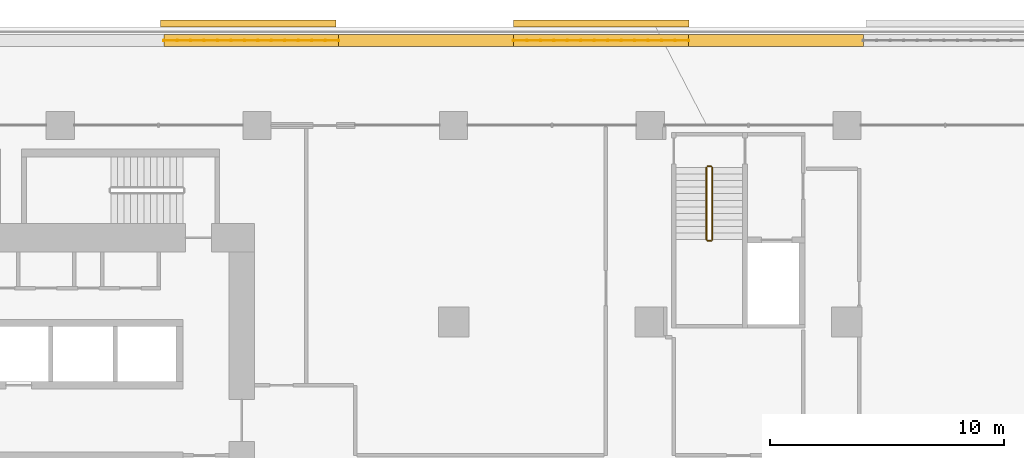
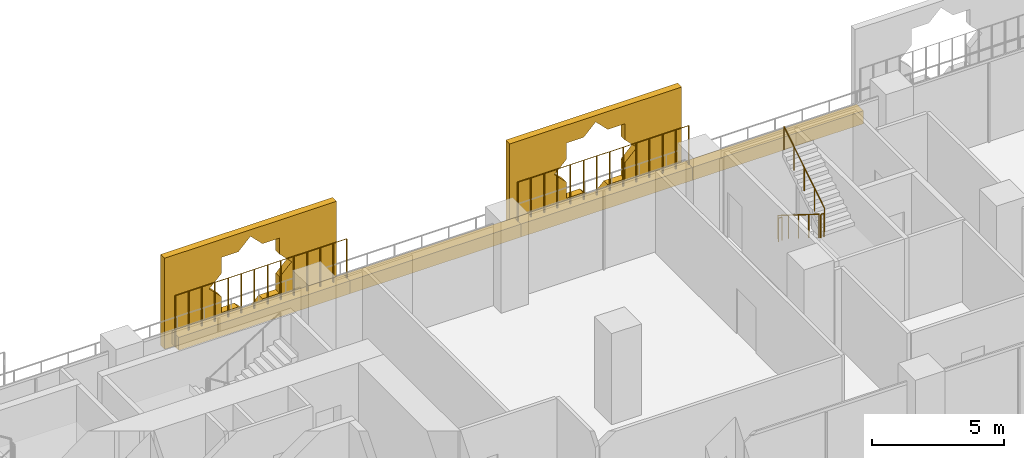
# One storey, part 27 of 28: 6 coverings, 6 railings.
"""IFC4 building model written with IfcOpenShell, lengths in metres."""

from ifc_helpers import new_model, si_unit, direction, frame, origin, origin_2d, place, context, subcontext, project, spatial, polyline, rectangle, circle, outline, extrude, material, material_profile, profile_set, type_object, element, save


model = new_model("IFC4")

# Units and contexts
model_context = context("Model", 3, precision=1e-05, world=origin(), true_north=direction((0.0, 1.0)))
body_context = subcontext(model_context, "Body", "Model", "MODEL_VIEW")
ifc_project = project(units=[si_unit("LENGTHUNIT", "METRE"), si_unit("AREAUNIT", "SQUARE_METRE"), si_unit("VOLUMEUNIT", "CUBIC_METRE"), si_unit("PLANEANGLEUNIT", "RADIAN"), si_unit("MASSUNIT", "GRAM", prefix="KILO")], contexts=[model_context])

# Site, building, storey
site_placement = place(None, origin())
site = spatial("IfcSite", under=ifc_project, at=site_placement, CompositionType="ELEMENT")
building_placement = place(site_placement, origin())
building = spatial("IfcBuilding", under=site, at=building_placement, Name="Kawkab Arch Medical Tower", CompositionType="ELEMENT")
storey_placement = place(building_placement, frame((0.0, 0.0, 47.60009765625)))
storey = spatial("IfcBuildingStorey", under=building, at=storey_placement, Name="L10", CompositionType="ELEMENT", Elevation=47.60009765625)

# Coverings
ifc_material_1 = material(Name="Bronze anodised aluminium mashrabiya panel, eight-point star pattern", Category="aluminium")
ifc_material_profile_1 = material_profile(ifc_material_1, outline(polyline([(-3.75, -2.10009765625), (3.75, -2.10009765625), (3.75, 2.10009765625), (-3.75, 2.10009765625), (-3.75, -2.10009765625)]), holes=[polyline([(1.800048828125, 0.0), (1.272705078125, 0.527099609375), (1.272705078125, 1.272705078125), (0.527099609375, 1.272705078125), (0.0, 1.800048828125), (-0.527099609375, 1.272705078125), (-1.272705078125, 1.272705078125), (-1.272705078125, 0.527099609375), (-1.800048828125, 0.0), (-1.272705078125, -0.527099609375), (-1.272705078125, -1.272705078125), (-0.527099609375, -1.272705078125), (0.0, -1.800048828125), (0.527099609375, -1.272705078125), (1.272705078125, -1.272705078125), (1.272705078125, -0.527099609375), (1.800048828125, 0.0)])]), Name="Mashrabiya panel 7500x4200")
ifc_profile_set_1 = profile_set([ifc_material_profile_1], Name="Bronze anodised aluminium mashrabiya panel, eight-point star pattern")
covering_type_1 = type_object("IfcCoveringType", Name="Mashrabiya panel 7500 x 4200", PredefinedType="USERDEFINED", material=ifc_profile_set_1)
for number, where, z_axis, x_axis, name in (
    (1, (24.83544921875, 4.199951171875, 1.699951171875), (0.0, 1.0, 0.0), (-1.0, 0.0, 0.0), "Mashrabiya panel L10.LOG-01-02.5"),
    (2, (39.89990234375, 4.199951171875, 1.699951171875), (0.0, 1.0, 0.0), (-1.0, 0.0, 0.0), "Mashrabiya panel L10.LOG-01-02.6"),
):
    element("IfcCovering", number, at=place(storey_placement, frame(where, z_axis=z_axis, x_axis=x_axis)), inside=storey, type_object=covering_type_1, Name=name, ObjectType="SCREEN", PredefinedType="USERDEFINED", context=body_context, shape_type="SweptSolid", body=[
        extrude(outline(polyline([(-3.75, -2.10009765625), (3.75, -2.10009765625), (3.75, 2.10009765625), (-3.75, 2.10009765625), (-3.75, -2.10009765625)]), holes=[polyline([(1.800048828125, 0.0), (1.272705078125, 0.527099609375), (1.272705078125, 1.272705078125), (0.527099609375, 1.272705078125), (0.0, 1.800048828125), (-0.527099609375, 1.272705078125), (-1.272705078125, 1.272705078125), (-1.272705078125, 0.527099609375), (-1.800048828125, 0.0), (-1.272705078125, -0.527099609375), (-1.272705078125, -1.272705078125), (-0.527099609375, -1.272705078125), (0.0, -1.800048828125), (0.527099609375, -1.272705078125), (1.272705078125, -1.272705078125), (1.272705078125, -0.527099609375), (1.800048828125, 0.0)])]), origin(), (0.0, 0.0, 1.0), 0.300048828125),
    ])
ifc_material_2 = material(Name="Planting soil in a precast trough", Category="concrete")
ifc_material_profile_2 = material_profile(ifc_material_2, rectangle(XDim=0.5, YDim=0.60009765625, at=origin_2d()), Name="Trough 500x600")
ifc_profile_set_2 = profile_set([ifc_material_profile_2], Name="Planting soil in a precast trough")
covering_type_2 = type_object("IfcCoveringType", Name="Planter trough 500 x 600", PredefinedType="USERDEFINED", material=ifc_profile_set_2)
covering_placement = place(storey_placement, frame((21.22412109375, 3.6201171875, 0.2998046875), z_axis=(1.0, 0.0, 0.0), x_axis=(0.0, 1.0, 0.0)))
element("IfcCovering", 3, at=covering_placement, inside=storey, type_object=covering_type_2, Name="Planter L10.LOG-01-02.27", ObjectType="PLANTER", PredefinedType="USERDEFINED", context=body_context, shape_type="SweptSolid", body=[
    extrude(rectangle(XDim=0.5, YDim=0.60009765625, at=origin_2d()), origin(), (0.0, 0.0, 1.0), 7.470947265625),
])
for number, where, z_axis, x_axis, name in (
    (4, (28.695068359375, 3.6201171875, 0.2998046875), (1.0, 0.0, 0.0), (0.0, 1.0, 0.0), "Planter L10.LOG-01-02.28"),
    (5, (36.1650390625, 3.6201171875, 0.2998046875), (1.0, 0.0, 0.0), (0.0, 1.0, 0.0), "Planter L10.LOG-01-02.29"),
    (6, (43.635009765625, 3.6201171875, 0.2998046875), (1.0, 0.0, 0.0), (0.0, 1.0, 0.0), "Planter L10.LOG-01-02.30"),
):
    element("IfcCovering", number, at=place(storey_placement, frame(where, z_axis=z_axis, x_axis=x_axis)), inside=storey, type_object=covering_type_2, Name=name, ObjectType="PLANTER", PredefinedType="USERDEFINED", context=body_context, shape_type="SweptSolid", body=[
        extrude(rectangle(XDim=0.5, YDim=0.60009765625, at=origin_2d()), origin(), (0.0, 0.0, 1.0), 7.469970703125),
    ])

# Railings
ifc_material_3 = material(Name="Bronze anodised aluminium trellis for climbing plants", Category="aluminium")
railing_type_1 = type_object("IfcRailingType", Name="Planting trellis 2400", PredefinedType="USERDEFINED", material=ifc_material_3)
railing_1_placement = place(storey_placement, frame((21.22412109375, 3.6201171875, 0.0)))
element("IfcRailing", 7, at=railing_1_placement, inside=storey, type_object=railing_type_1, Name="Planting trellis L10.LOG-01-02.27", ObjectType="TRELLIS", PredefinedType="USERDEFINED", context=body_context, shape_type="SweptSolid", body=[
    extrude(circle(Radius=0.01513671875, at=origin_2d()), frame((0.0, 0.0, 2.384765625), z_axis=(1.0, 0.0, 0.0), x_axis=(0.0, 1.0, 0.0)), (0.0, 0.0, 1.0), 7.470947265625),
    extrude(circle(Radius=0.030029296875, at=origin_2d()), origin(), (0.0, 0.0, 1.0), 2.369873046875),
    extrude(circle(Radius=0.030029296875, at=origin_2d()), frame((0.57470703125, 0.0, 0.0)), (0.0, 0.0, 1.0), 2.369873046875),
    extrude(circle(Radius=0.030029296875, at=origin_2d()), frame((1.1494140625, 0.0, 0.0)), (0.0, 0.0, 1.0), 2.369873046875),
    extrude(circle(Radius=0.030029296875, at=origin_2d()), frame((1.72412109375, 0.0, 0.0)), (0.0, 0.0, 1.0), 2.369873046875),
    extrude(circle(Radius=0.030029296875, at=origin_2d()), frame((2.298828125, 0.0, 0.0)), (0.0, 0.0, 1.0), 2.369873046875),
    extrude(circle(Radius=0.030029296875, at=origin_2d()), frame((2.87353515625, 0.0, 0.0)), (0.0, 0.0, 1.0), 2.369873046875),
    extrude(circle(Radius=0.030029296875, at=origin_2d()), frame((3.4482421875, 0.0, 0.0)), (0.0, 0.0, 1.0), 2.369873046875),
    extrude(circle(Radius=0.030029296875, at=origin_2d()), frame((4.022705078125, 0.0, 0.0)), (0.0, 0.0, 1.0), 2.369873046875),
    extrude(circle(Radius=0.030029296875, at=origin_2d()), frame((4.597412109375, 0.0, 0.0)), (0.0, 0.0, 1.0), 2.369873046875),
    extrude(circle(Radius=0.030029296875, at=origin_2d()), frame((5.172119140625, 0.0, 0.0)), (0.0, 0.0, 1.0), 2.369873046875),
    extrude(circle(Radius=0.030029296875, at=origin_2d()), frame((5.746826171875, 0.0, 0.0)), (0.0, 0.0, 1.0), 2.369873046875),
    extrude(circle(Radius=0.030029296875, at=origin_2d()), frame((6.321533203125, 0.0, 0.0)), (0.0, 0.0, 1.0), 2.369873046875),
    extrude(circle(Radius=0.030029296875, at=origin_2d()), frame((6.896240234375, 0.0, 0.0)), (0.0, 0.0, 1.0), 2.369873046875),
    extrude(circle(Radius=0.030029296875, at=origin_2d()), frame((7.470947265625, 0.0, 0.0)), (0.0, 0.0, 1.0), 2.369873046875),
])
railing_2_placement = place(storey_placement, frame((36.1650390625, 3.6201171875, 0.0)))
element("IfcRailing", 8, at=railing_2_placement, inside=storey, type_object=railing_type_1, Name="Planting trellis L10.LOG-01-02.29", ObjectType="TRELLIS", PredefinedType="USERDEFINED", context=body_context, shape_type="SweptSolid", body=[
    extrude(circle(Radius=0.01513671875, at=origin_2d()), frame((0.0, 0.0, 2.384765625), z_axis=(1.0, 0.0, 0.0), x_axis=(0.0, 1.0, 0.0)), (0.0, 0.0, 1.0), 7.469970703125),
    extrude(circle(Radius=0.030029296875, at=origin_2d()), origin(), (0.0, 0.0, 1.0), 2.369873046875),
    extrude(circle(Radius=0.030029296875, at=origin_2d()), frame((0.57470703125, 0.0, 0.0)), (0.0, 0.0, 1.0), 2.369873046875),
    extrude(circle(Radius=0.030029296875, at=origin_2d()), frame((1.149169921875, 0.0, 0.0)), (0.0, 0.0, 1.0), 2.369873046875),
    extrude(circle(Radius=0.030029296875, at=origin_2d()), frame((1.723876953125, 0.0, 0.0)), (0.0, 0.0, 1.0), 2.369873046875),
    extrude(circle(Radius=0.030029296875, at=origin_2d()), frame((2.29833984375, 0.0, 0.0)), (0.0, 0.0, 1.0), 2.369873046875),
    extrude(circle(Radius=0.030029296875, at=origin_2d()), frame((2.873046875, 0.0, 0.0)), (0.0, 0.0, 1.0), 2.369873046875),
    extrude(circle(Radius=0.030029296875, at=origin_2d()), frame((3.44775390625, 0.0, 0.0)), (0.0, 0.0, 1.0), 2.369873046875),
    extrude(circle(Radius=0.030029296875, at=origin_2d()), frame((4.022216796875, 0.0, 0.0)), (0.0, 0.0, 1.0), 2.369873046875),
    extrude(circle(Radius=0.030029296875, at=origin_2d()), frame((4.596923828125, 0.0, 0.0)), (0.0, 0.0, 1.0), 2.369873046875),
    extrude(circle(Radius=0.030029296875, at=origin_2d()), frame((5.171630859375, 0.0, 0.0)), (0.0, 0.0, 1.0), 2.369873046875),
    extrude(circle(Radius=0.030029296875, at=origin_2d()), frame((5.74609375, 0.0, 0.0)), (0.0, 0.0, 1.0), 2.369873046875),
    extrude(circle(Radius=0.030029296875, at=origin_2d()), frame((6.32080078125, 0.0, 0.0)), (0.0, 0.0, 1.0), 2.369873046875),
    extrude(circle(Radius=0.030029296875, at=origin_2d()), frame((6.895263671875, 0.0, 0.0)), (0.0, 0.0, 1.0), 2.369873046875),
    extrude(circle(Radius=0.030029296875, at=origin_2d()), frame((7.469970703125, 0.0, 0.0)), (0.0, 0.0, 1.0), 2.369873046875),
])
ifc_material_4 = material(Name="Stainless steel", Category="steel")
railing_type_2 = type_object("IfcRailingType", Name="Stair guard 1100", PredefinedType="GUARDRAIL", material=ifc_material_4)
railing_3_placement = place(storey_placement, frame((44.39990234375, -1.800048828125, 0.1748046875)))
element("IfcRailing", 9, at=railing_3_placement, inside=storey, type_object=railing_type_2, Name="L10 ST5 stair guard 1", PredefinedType="GUARDRAIL", context=body_context, shape_type="SweptSolid", body=[
    extrude(circle(Radius=0.02392578125, at=origin_2d()), frame((0.0, 0.0, 1.076171875), z_axis=(0.0, -0.847979421464, 0.530029150871), x_axis=(1.0, 0.0, 0.0)), (0.0, 0.0, 1.0), 3.632080078125),
    extrude(circle(Radius=0.02099609375, at=origin_2d()), origin(), (0.0, 0.0, 1.0), 1.052001953125),
    extrude(circle(Radius=0.02099609375, at=origin_2d()), frame((0.0, -0.77001953125, 0.481201171875)), (0.0, 0.0, 1.0), 1.052001953125),
    extrude(circle(Radius=0.02099609375, at=origin_2d()), frame((0.0, -1.5400390625, 0.96240234375)), (0.0, 0.0, 1.0), 1.052001953125),
    extrude(circle(Radius=0.02099609375, at=origin_2d()), frame((0.0, -2.309814453125, 1.44384765625)), (0.0, 0.0, 1.0), 1.052001953125),
    extrude(circle(Radius=0.02099609375, at=origin_2d()), frame((0.0, -3.079833984375, 1.925048828125)), (0.0, 0.0, 1.0), 1.052001953125),
])
railing_4_placement = place(storey_placement, frame((44.449951171875, -4.929931640625, 2.099853515625)))
element("IfcRailing", 10, at=railing_4_placement, inside=storey, type_object=railing_type_2, Name="L10 ST5 stair guard 2", PredefinedType="GUARDRAIL", context=body_context, shape_type="SweptSolid", body=[
    extrude(circle(Radius=0.02392578125, at=origin_2d()), frame((0.0, 0.0, 1.076171875), z_axis=(1.0, 0.0, 0.0), x_axis=(0.0, 1.0, 0.0)), (0.0, 0.0, 1.0), 0.150146484375),
    extrude(circle(Radius=0.02099609375, at=origin_2d()), origin(), (0.0, 0.0, 1.0), 1.052001953125),
    extrude(circle(Radius=0.02099609375, at=origin_2d()), frame((0.150146484375, 0.0, 0.0)), (0.0, 0.0, 1.0), 1.052001953125),
])
railing_5_placement = place(storey_placement, frame((44.64990234375, -4.8798828125, 2.27490234375)))
element("IfcRailing", 11, at=railing_5_placement, inside=storey, type_object=railing_type_2, Name="L10 ST5 stair guard 3", PredefinedType="GUARDRAIL", context=body_context, shape_type="SweptSolid", body=[
    extrude(circle(Radius=0.02392578125, at=origin_2d()), frame((0.0, 0.0, 1.076171875), z_axis=(0.0, 0.847979421464, 0.530029150871), x_axis=(-1.0, 0.0, 0.0)), (0.0, 0.0, 1.0), 3.632080078125),
    extrude(circle(Radius=0.02099609375, at=origin_2d()), origin(), (0.0, 0.0, 1.0), 1.052001953125),
    extrude(circle(Radius=0.02099609375, at=origin_2d()), frame((0.0, 0.77001953125, 0.481201171875)), (0.0, 0.0, 1.0), 1.052001953125),
    extrude(circle(Radius=0.02099609375, at=origin_2d()), frame((0.0, 1.5400390625, 0.96240234375)), (0.0, 0.0, 1.0), 1.052001953125),
    extrude(circle(Radius=0.02099609375, at=origin_2d()), frame((0.0, 2.309814453125, 1.44384765625)), (0.0, 0.0, 1.0), 1.052001953125),
    extrude(circle(Radius=0.02099609375, at=origin_2d()), frame((0.0, 3.079833984375, 1.925048828125)), (0.0, 0.0, 1.0), 1.052001953125),
])
railing_6_placement = place(storey_placement, frame((44.449951171875, -1.75, 0.0)))
element("IfcRailing", 12, at=railing_6_placement, inside=storey, type_object=railing_type_2, Name="L10 ST5 stair guard 4", PredefinedType="GUARDRAIL", context=body_context, shape_type="SweptSolid", body=[
    extrude(circle(Radius=0.02392578125, at=origin_2d()), frame((0.0, 0.0, 1.076171875), z_axis=(1.0, 0.0, 0.0), x_axis=(0.0, 1.0, 0.0)), (0.0, 0.0, 1.0), 0.150146484375),
    extrude(circle(Radius=0.02099609375, at=origin_2d()), origin(), (0.0, 0.0, 1.0), 1.052001953125),
    extrude(circle(Radius=0.02099609375, at=origin_2d()), frame((0.150146484375, 0.0, 0.0)), (0.0, 0.0, 1.0), 1.052001953125),
])

save(model, "model.ifc")
